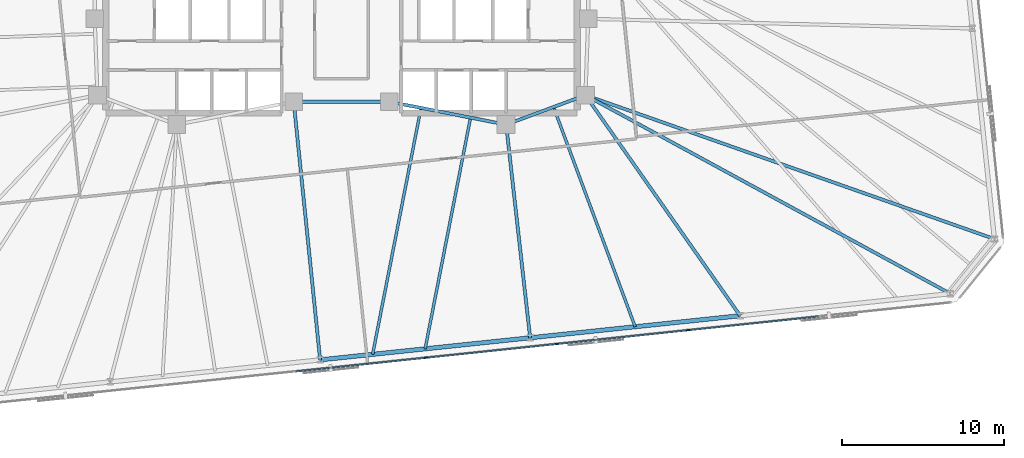
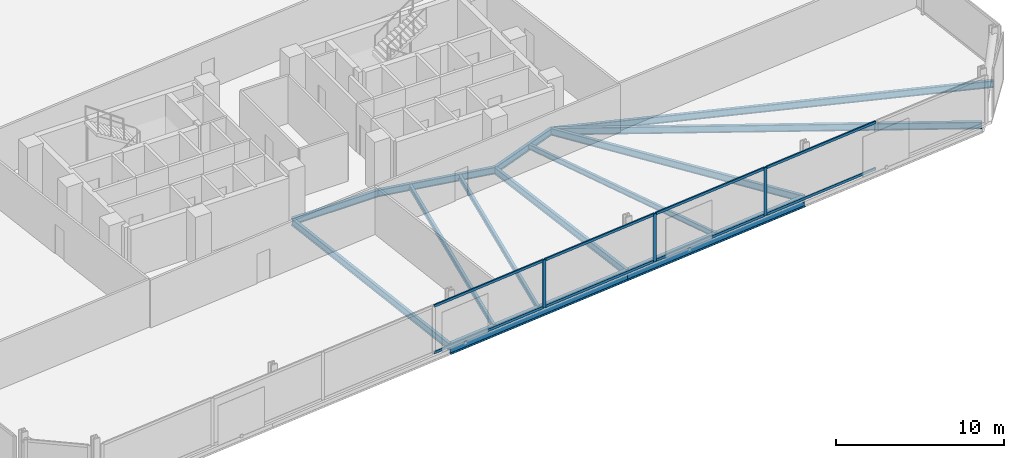
# One storey, part 7 of 17: 13 beams, 11 members, 1 element without a shape of its own.
"""IFC4 building model written with IfcOpenShell, lengths in metres."""

from ifc_helpers import new_model, si_unit, direction, frame, origin, origin_2d, place, context, subcontext, project, spatial, rectangle, i_section, extrude, material, material_profile, profile_set, type_object, element, aggregate, save


model = new_model("IFC4")

# Units and contexts
model_context = context("Model", 3, precision=1e-05, world=origin(), true_north=direction((0.0, 1.0)))
body_context = subcontext(model_context, "Body", "Model", "MODEL_VIEW")
ifc_project = project(units=[si_unit("LENGTHUNIT", "METRE"), si_unit("AREAUNIT", "SQUARE_METRE"), si_unit("VOLUMEUNIT", "CUBIC_METRE"), si_unit("PLANEANGLEUNIT", "RADIAN"), si_unit("MASSUNIT", "GRAM", prefix="KILO")], contexts=[model_context])

# Site, building, storey
site_placement = place(None, origin())
site = spatial("IfcSite", under=ifc_project, at=site_placement, CompositionType="ELEMENT")
building_placement = place(site_placement, origin())
building = spatial("IfcBuilding", under=site, at=building_placement, Name="Menara Jurai Vektor", CompositionType="ELEMENT")
storey_placement = place(building_placement, frame((0.0, 0.0, 109.60009765625)))
storey = spatial("IfcBuildingStorey", under=building, at=storey_placement, Name="L27", CompositionType="ELEMENT", Elevation=109.60009765625)

# Curtain wall, members
ifc_material_1 = material(Name="Anodised Pale Aluminium & Low-E Double Glazing", Category="aluminium")
curtain_wall_type = type_object("IfcCurtainWallType", Name="CW-BLK2", PredefinedType="NOTDEFINED", material=ifc_material_1)
curtain_wall_placement = place(storey_placement, origin())
curtain_wall = element("IfcCurtainWall", 1, at=curtain_wall_placement, inside=storey, type_object=curtain_wall_type, Name="Unitised Curtain Wall L27 F01", PredefinedType="NOTDEFINED")
ifc_material_2 = material(Name="Anodised Pale Aluminium Mullion", Category="aluminium")
ifc_material_profile_1 = material_profile(ifc_material_2, rectangle(XDim=0.090087890625, YDim=0.219970703125, at=origin_2d()), Name="ALU MUL 90x220")
ifc_profile_set_1 = profile_set([ifc_material_profile_1], Name="Anodised Pale Aluminium Mullion")
member_type_1 = type_object("IfcMemberType", Name="CW-BLK2-MUL", PredefinedType="MULLION", material=ifc_profile_set_1)
member_1_placement = place(storey_placement, frame((5.230224609375, -20.72265625, 0.0), z_axis=(0.0, 0.0, 1.0), x_axis=(-0.104528634935, 0.994521877325, 0.0)))
member_1 = element("IfcMember", 2, at=member_1_placement, type_object=member_type_1, Name="CW-02 mullion 5", PredefinedType="MULLION", context=body_context, shape_type="SweptSolid", body=[
    extrude(rectangle(XDim=0.090087890625, YDim=0.219970703125, at=origin_2d()), origin(), (0.0, 0.0, 1.0), 3.474853515625),
])
member_2_placement = place(storey_placement, frame((13.328125, -19.87158203125, 0.0), z_axis=(0.0, 0.0, 1.0), x_axis=(-0.104528634935, 0.994521877325, 0.0)))
member_2 = element("IfcMember", 3, at=member_2_placement, type_object=member_type_1, Name="CW-02 mullion 6", PredefinedType="MULLION", context=body_context, shape_type="SweptSolid", body=[
    extrude(rectangle(XDim=0.090087890625, YDim=0.219970703125, at=origin_2d()), origin(), (0.0, 0.0, 1.0), 3.474853515625),
])
member_3_placement = place(storey_placement, frame((21.426025390625, -19.020263671875, 0.0), z_axis=(0.0, 0.0, 1.0), x_axis=(-0.104528634935, 0.994521877325, 0.0)))
member_3 = element("IfcMember", 4, at=member_3_placement, type_object=member_type_1, Name="CW-02 mullion 7", PredefinedType="MULLION", context=body_context, shape_type="SweptSolid", body=[
    extrude(rectangle(XDim=0.090087890625, YDim=0.219970703125, at=origin_2d()), origin(), (0.0, 0.0, 1.0), 3.474853515625),
])
ifc_material_3 = material(Name="Anodised Pale Aluminium Transom", Category="aluminium")
ifc_material_profile_2 = material_profile(ifc_material_3, rectangle(XDim=0.090087890625, YDim=0.18505859375, at=origin_2d()), Name="ALU TRN 90x185")
ifc_profile_set_2 = profile_set([ifc_material_profile_2], Name="Anodised Pale Aluminium Transom")
member_type_2 = type_object("IfcMemberType", Name="CW-BLK2-TRN", PredefinedType="USERDEFINED", material=ifc_profile_set_2)
member_4_placement = place(storey_placement, frame((-2.82275390625, -21.569091796875, 0.044921875), z_axis=(0.994520726373, 0.10453958492, 0.0), x_axis=(-0.10453958492, 0.994520726373, 0.0)))
member_4 = element("IfcMember", 5, at=member_4_placement, type_object=member_type_2, Name="CW-02 transom 4.1", ObjectType="TRANSOM", PredefinedType="USERDEFINED", context=body_context, shape_type="SweptSolid", body=[
    extrude(rectangle(XDim=0.090087890625, YDim=0.18505859375, at=origin_2d()), origin(), (0.0, 0.0, 1.0), 8.052490234375),
])
member_5_placement = place(storey_placement, frame((-2.82275390625, -21.569091796875, 3.429931640625), z_axis=(0.994520726373, 0.10453958492, 0.0), x_axis=(-0.10453958492, 0.994520726373, 0.0)))
member_5 = element("IfcMember", 6, at=member_5_placement, type_object=member_type_2, Name="CW-02 transom 4.2", ObjectType="TRANSOM", PredefinedType="USERDEFINED", context=body_context, shape_type="SweptSolid", body=[
    extrude(rectangle(XDim=0.090087890625, YDim=0.18505859375, at=origin_2d()), origin(), (0.0, 0.0, 1.0), 8.052490234375),
])
member_6_placement = place(storey_placement, frame((5.275146484375, -20.718017578125, 0.044921875), z_axis=(0.994520726373, 0.10453958492, 0.0), x_axis=(-0.10453958492, 0.994520726373, 0.0)))
member_6 = element("IfcMember", 7, at=member_6_placement, type_object=member_type_2, Name="CW-02 transom 5.1", ObjectType="TRANSOM", PredefinedType="USERDEFINED", context=body_context, shape_type="SweptSolid", body=[
    extrude(rectangle(XDim=0.090087890625, YDim=0.18505859375, at=origin_2d()), origin(), (0.0, 0.0, 1.0), 8.052490234375),
])
member_7_placement = place(storey_placement, frame((5.275146484375, -20.718017578125, 3.429931640625), z_axis=(0.994520726373, 0.10453958492, 0.0), x_axis=(-0.10453958492, 0.994520726373, 0.0)))
member_7 = element("IfcMember", 8, at=member_7_placement, type_object=member_type_2, Name="CW-02 transom 5.2", ObjectType="TRANSOM", PredefinedType="USERDEFINED", context=body_context, shape_type="SweptSolid", body=[
    extrude(rectangle(XDim=0.090087890625, YDim=0.18505859375, at=origin_2d()), origin(), (0.0, 0.0, 1.0), 8.052490234375),
])
member_8_placement = place(storey_placement, frame((13.373046875, -19.86669921875, 0.044921875), z_axis=(0.99452387809, 0.104509597213, 0.0), x_axis=(-0.104509597213, 0.99452387809, 0.0)))
member_8 = element("IfcMember", 9, at=member_8_placement, type_object=member_type_2, Name="CW-02 transom 6.1", ObjectType="TRANSOM", PredefinedType="USERDEFINED", context=body_context, shape_type="SweptSolid", body=[
    extrude(rectangle(XDim=0.090087890625, YDim=0.18505859375, at=origin_2d()), origin(), (0.0, 0.0, 1.0), 8.052490234375),
])
member_9_placement = place(storey_placement, frame((13.373046875, -19.86669921875, 3.429931640625), z_axis=(0.99452387809, 0.104509597213, 0.0), x_axis=(-0.104509597213, 0.99452387809, 0.0)))
member_9 = element("IfcMember", 10, at=member_9_placement, type_object=member_type_2, Name="CW-02 transom 6.2", ObjectType="TRANSOM", PredefinedType="USERDEFINED", context=body_context, shape_type="SweptSolid", body=[
    extrude(rectangle(XDim=0.090087890625, YDim=0.18505859375, at=origin_2d()), origin(), (0.0, 0.0, 1.0), 8.052490234375),
])
member_10_placement = place(storey_placement, frame((21.470947265625, -19.015625, 0.044921875), z_axis=(0.994520726373, 0.10453958492, 0.0), x_axis=(-0.10453958492, 0.994520726373, 0.0)))
member_10 = element("IfcMember", 11, at=member_10_placement, type_object=member_type_2, Name="CW-02 transom 7.1", ObjectType="TRANSOM", PredefinedType="USERDEFINED", context=body_context, shape_type="SweptSolid", body=[
    extrude(rectangle(XDim=0.090087890625, YDim=0.18505859375, at=origin_2d()), origin(), (0.0, 0.0, 1.0), 8.052490234375),
])
member_11_placement = place(storey_placement, frame((21.470947265625, -19.015625, 3.429931640625), z_axis=(0.994520726373, 0.10453958492, 0.0), x_axis=(-0.10453958492, 0.994520726373, 0.0)))
member_11 = element("IfcMember", 12, at=member_11_placement, type_object=member_type_2, Name="CW-02 transom 7.2", ObjectType="TRANSOM", PredefinedType="USERDEFINED", context=body_context, shape_type="SweptSolid", body=[
    extrude(rectangle(XDim=0.090087890625, YDim=0.18505859375, at=origin_2d()), origin(), (0.0, 0.0, 1.0), 8.052490234375),
])
aggregate(curtain_wall, [member_1, member_2, member_3, member_4, member_5, member_6, member_7, member_8, member_9, member_10, member_11])

# Beams
ifc_material_4 = material(Name="Steel S355", Category="steel")
ifc_material_profile_3 = material_profile(ifc_material_4, i_section(OverallWidth=0.199951171875, OverallDepth=0.5, WebThickness=0.011962890625, FlangeThickness=0.02001953125, at=origin_2d()), Name="PG 500x200x96")
ifc_profile_set_3 = profile_set([ifc_material_profile_3], Name="Steel S355")
beam_type_1 = type_object("IfcBeamType", Name="STR-BM-500", PredefinedType="BEAM", material=ifc_profile_set_3)
beam_1_placement = place(storey_placement, frame((10.179931640625, -6.320068359375, -0.47509765625), z_axis=(0.937424400887, 0.348188874925, 0.0), x_axis=(-0.348188874925, 0.937424400887, 0.0)))
element("IfcBeam", 13, at=beam_1_placement, inside=storey, type_object=beam_type_1, Name="Core Ring Header Girder L27-CHE-S1", PredefinedType="BEAM", context=body_context, shape_type="SweptSolid", body=[
    extrude(i_section(OverallWidth=0.199951171875, OverallDepth=0.5, WebThickness=0.011962890625, FlangeThickness=0.02001953125, at=origin_2d()), origin(), (0.0, 0.0, 1.0), 5.227294921875),
])
beam_2_placement = place(storey_placement, frame((2.949951171875, -4.89990234375, -0.47509765625), z_axis=(0.981249044334, -0.192744164614, 0.0), x_axis=(0.192744164614, 0.981249044334, 0.0)))
element("IfcBeam", 14, at=beam_2_placement, inside=storey, type_object=beam_type_1, Name="Core Ring Header Girder L27-CHE-S2", PredefinedType="BEAM", context=body_context, shape_type="SweptSolid", body=[
    extrude(i_section(OverallWidth=0.199951171875, OverallDepth=0.5, WebThickness=0.011962890625, FlangeThickness=0.02001953125, at=origin_2d()), origin(), (0.0, 0.0, 1.0), 7.3681640625),
])
beam_3_placement = place(storey_placement, frame((-2.949951171875, -4.89990234375, -0.47509765625), z_axis=(1.0, 0.0, 0.0), x_axis=(0.0, 1.0, 0.0)))
element("IfcBeam", 15, at=beam_3_placement, inside=storey, type_object=beam_type_1, Name="Core Ring Header Girder L27-CC-1", PredefinedType="BEAM", context=body_context, shape_type="SweptSolid", body=[
    extrude(i_section(OverallWidth=0.199951171875, OverallDepth=0.5, WebThickness=0.011962890625, FlangeThickness=0.02001953125, at=origin_2d()), origin(), (0.0, 0.0, 1.0), 5.89990234375),
])
beam_4_placement = place(storey_placement, frame((-1.31689453125, -20.85791015625, -0.47509765625), z_axis=(-0.101802947506, 0.994804583765, 0.0), x_axis=(-0.994804583765, -0.101802947506, 0.0)))
element("IfcBeam", 16, at=beam_4_placement, inside=storey, type_object=beam_type_1, Name="Radial Floor Girder L27-S3", PredefinedType="BEAM", context=body_context, shape_type="SweptSolid", body=[
    extrude(i_section(OverallWidth=0.199951171875, OverallDepth=0.5, WebThickness=0.011962890625, FlangeThickness=0.02001953125, at=origin_2d()), origin(), (0.0, 0.0, 1.0), 16.041259765625),
])
beam_5_placement = place(storey_placement, frame((11.66259765625, -19.493408203125, -0.47509765625), z_axis=(-0.111844331087, 0.99372573963, 0.0), x_axis=(-0.99372573963, -0.111844331087, 0.0)))
element("IfcBeam", 17, at=beam_5_placement, inside=storey, type_object=beam_type_1, Name="Radial Floor Girder L27-S4", PredefinedType="BEAM", context=body_context, shape_type="SweptSolid", body=[
    extrude(i_section(OverallWidth=0.199951171875, OverallDepth=0.5, WebThickness=0.011962890625, FlangeThickness=0.02001953125, at=origin_2d()), origin(), (0.0, 0.0, 1.0), 13.256591796875),
])
beam_6_placement = place(storey_placement, frame((24.64208984375, -18.12939453125, -0.47509765625), z_axis=(-0.574326112611, 0.818626603754, 0.0), x_axis=(-0.818626603754, -0.574326112611, 0.0)))
element("IfcBeam", 18, at=beam_6_placement, inside=storey, type_object=beam_type_1, Name="Radial Floor Girder L27-S5", PredefinedType="BEAM", context=body_context, shape_type="SweptSolid", body=[
    extrude(i_section(OverallWidth=0.199951171875, OverallDepth=0.5, WebThickness=0.011962890625, FlangeThickness=0.02001953125, at=origin_2d()), origin(), (0.0, 0.0, 1.0), 16.649169921875),
])
beam_7_placement = place(storey_placement, frame((37.621826171875, -16.76513671875, -0.47509765625), z_axis=(-0.878392468416, 0.477940029115, 0.0), x_axis=(-0.477940029115, -0.878392468416, 0.0)))
element("IfcBeam", 19, at=beam_7_placement, inside=storey, type_object=beam_type_1, Name="Radial Floor Girder L27-S6", PredefinedType="BEAM", context=body_context, shape_type="SweptSolid", body=[
    extrude(i_section(OverallWidth=0.199951171875, OverallDepth=0.5, WebThickness=0.011962890625, FlangeThickness=0.02001953125, at=origin_2d()), origin(), (0.0, 0.0, 1.0), 25.66259765625),
])
beam_8_placement = place(storey_placement, frame((40.356201171875, -13.388671875, -0.47509765625), z_axis=(-0.943368219745, 0.331747497315, 0.0), x_axis=(-0.331747497315, -0.943368219745, 0.0)))
element("IfcBeam", 20, at=beam_8_placement, inside=storey, type_object=beam_type_1, Name="Radial Floor Girder L27-E1", PredefinedType="BEAM", context=body_context, shape_type="SweptSolid", body=[
    extrude(i_section(OverallWidth=0.199951171875, OverallDepth=0.5, WebThickness=0.011962890625, FlangeThickness=0.02001953125, at=origin_2d()), origin(), (0.0, 0.0, 1.0), 26.79345703125),
])
ifc_material_profile_4 = material_profile(ifc_material_4, i_section(OverallWidth=0.175048828125, OverallDepth=0.3798828125, WebThickness=0.010009765625, FlangeThickness=0.014892578125, at=origin_2d()), Name="PG 380x175x58")
ifc_profile_set_4 = profile_set([ifc_material_profile_4], Name="Steel S355")
beam_type_2 = type_object("IfcBeamType", Name="STR-JS-380", PredefinedType="JOIST", material=ifc_profile_set_4)
beam_9_placement = place(storey_placement, frame((1.927978515625, -20.5166015625, -0.4150390625), z_axis=(0.192720963177, 0.981253601447, 0.0), x_axis=(-0.981253601447, 0.192720963177, 0.0)))
element("IfcBeam", 21, at=beam_9_placement, inside=storey, type_object=beam_type_2, Name="Radial Secondary Floor Joist L27-JS06", PredefinedType="JOIST", context=body_context, shape_type="SweptSolid", body=[
    extrude(i_section(OverallWidth=0.175048828125, OverallDepth=0.3798828125, WebThickness=0.010009765625, FlangeThickness=0.014892578125, at=origin_2d()), origin(), (0.0, 0.0, 1.0), 15.52099609375),
])
beam_10_placement = place(storey_placement, frame((5.1728515625, -20.175537109375, -0.4150390625), z_axis=(0.192719646422, 0.98125386006, 0.0), x_axis=(-0.98125386006, 0.192719646422, 0.0)))
element("IfcBeam", 22, at=beam_10_placement, inside=storey, type_object=beam_type_2, Name="Radial Secondary Floor Joist L27-JS07", PredefinedType="JOIST", context=body_context, shape_type="SweptSolid", body=[
    extrude(i_section(OverallWidth=0.175048828125, OverallDepth=0.3798828125, WebThickness=0.010009765625, FlangeThickness=0.014892578125, at=origin_2d()), origin(), (0.0, 0.0, 1.0), 14.560791015625),
])
beam_11_placement = place(storey_placement, frame((18.15234375, -18.811279296875, -0.4150390625), z_axis=(-0.348188645432, 0.937424486128, 0.0), x_axis=(-0.937424486128, -0.348188645432, 0.0)))
element("IfcBeam", 23, at=beam_11_placement, inside=storey, type_object=beam_type_2, Name="Radial Secondary Floor Joist L27-JS08", PredefinedType="JOIST", context=body_context, shape_type="SweptSolid", body=[
    extrude(i_section(OverallWidth=0.175048828125, OverallDepth=0.3798828125, WebThickness=0.010009765625, FlangeThickness=0.014892578125, at=origin_2d()), origin(), (0.0, 0.0, 1.0), 14.485595703125),
])
ifc_material_5 = material(Name="Steel S460", Category="steel")
ifc_material_profile_5 = material_profile(ifc_material_5, i_section(OverallWidth=0.26806640625, OverallDepth=0.77001953125, WebThickness=0.01611328125, FlangeThickness=0.02490234375, FilletRadius=0.01708984375, at=origin_2d()), Name="UKB 762x267x197")
ifc_profile_set_5 = profile_set([ifc_material_profile_5], Name="Steel S460")
beam_type_3 = type_object("IfcBeamType", Name="STR-SP-762", PredefinedType="SPANDREL", material=ifc_profile_set_5)
for number, where, z_axis, x_axis, name in (
    (24, (-1.31689453125, -20.85791015625, -0.610107421875), (0.994519486762, 0.104551377088, 0.0), (-0.104551377088, 0.994519486762, 0.0), "Exoskeleton Spandrel Beam L27-03"),
    (25, (11.66259765625, -19.493408203125, -0.610107421875), (0.99452337626, 0.104514372567, 0.0), (-0.104514372567, 0.99452337626, 0.0), "Exoskeleton Spandrel Beam L27-04"),
):
    element("IfcBeam", number, at=place(storey_placement, frame(where, z_axis=z_axis, x_axis=x_axis)), inside=storey, type_object=beam_type_3, Name=name, PredefinedType="SPANDREL", context=body_context, shape_type="SweptSolid", body=[
        extrude(i_section(OverallWidth=0.26806640625, OverallDepth=0.77001953125, WebThickness=0.01611328125, FlangeThickness=0.02490234375, FilletRadius=0.01708984375, at=origin_2d()), origin(), (0.0, 0.0, 1.0), 13.051025390625),
    ])

save(model, "model.ifc")
